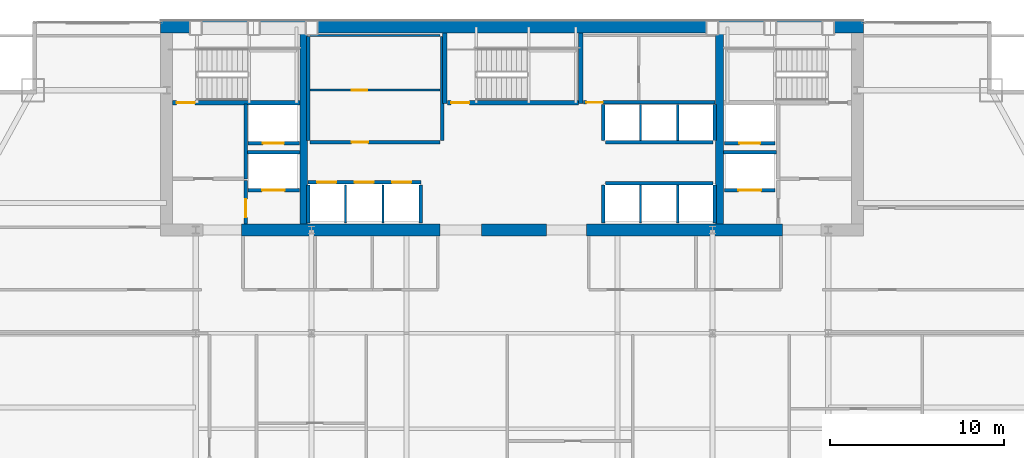
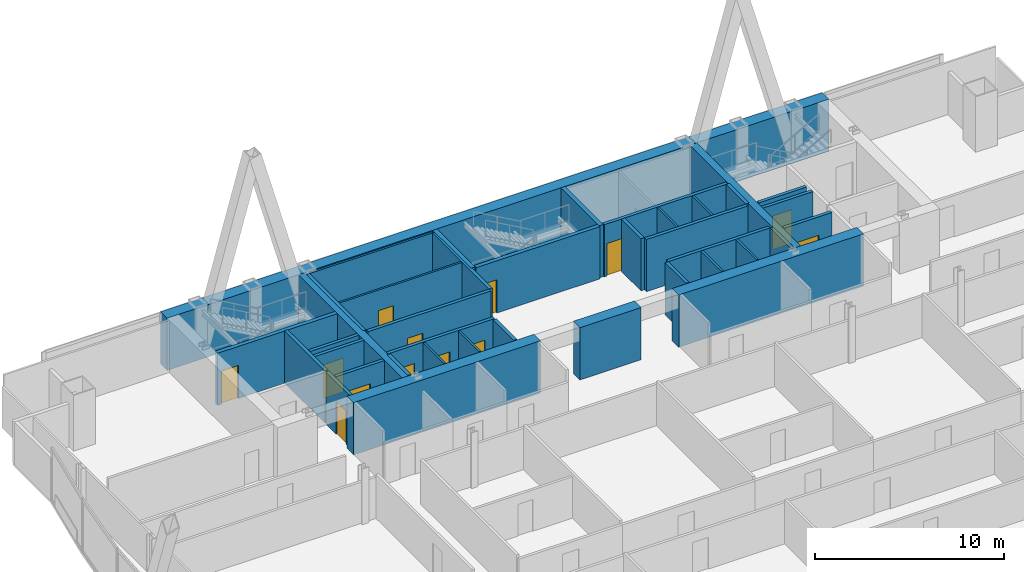
# One storey, part 28 of 31: 39 walls, 13 doors, 13 openings.
"""IFC4 building model written with IfcOpenShell, lengths in metres."""

from ifc_helpers import new_model, si_unit, direction, frame, frame_2d, origin, place, context, subcontext, project, spatial, rectangle, extrude, material, layer, layer_set, type_object, element, fill, save


model = new_model("IFC4")

# Units and contexts
model_context = context("Model", 3, precision=1e-05, world=origin(), true_north=direction((0.0, 1.0)))
body_context = subcontext(model_context, "Body", "Model", "MODEL_VIEW")
ifc_project = project(units=[si_unit("LENGTHUNIT", "METRE"), si_unit("AREAUNIT", "SQUARE_METRE"), si_unit("VOLUMEUNIT", "CUBIC_METRE"), si_unit("PLANEANGLEUNIT", "RADIAN"), si_unit("MASSUNIT", "GRAM", prefix="KILO")], contexts=[model_context])

# Site, building, storey
site_placement = place(None, origin())
site = spatial("IfcSite", under=ifc_project, at=site_placement, CompositionType="ELEMENT")
building_placement = place(site_placement, origin())
building = spatial("IfcBuilding", under=site, at=building_placement, Name="Khoronbel Lancet Exchange", CompositionType="ELEMENT")
storey_placement = place(building_placement, frame((0.0, 0.0, 168.60009765625)))
storey = spatial("IfcBuildingStorey", under=building, at=storey_placement, Name="L42", CompositionType="ELEMENT", Elevation=168.60009765625)

# Walls
ifc_material_1 = material(Name="Concrete C80/95", Category="concrete")
ifc_layer_1 = layer(ifc_material_1, 0.699951171875, Name="Concrete C80/95")
ifc_layer_set_1 = layer_set([ifc_layer_1], Name="Concrete C80/95")
wall_type_1 = type_object("IfcWallType", Name="WL-CW2", PredefinedType="SHEAR", material=ifc_layer_set_1)
wall_1_placement = place(storey_placement, frame((16.199951171875, 53.35009765625, 0.0), z_axis=(0.0, 0.0, 1.0), x_axis=(1.0, 0.0, 0.0)))
element("IfcWall", 1, at=wall_1_placement, inside=storey, type_object=wall_type_1, Name="Level L42 rear core north shear wall", PredefinedType="SHEAR", context=body_context, shape_type="SweptSolid", body=[
    extrude(rectangle(XDim=40.5, YDim=0.699951171875, at=frame_2d((20.25, 0.0))), origin(), (0.0, 0.0, 1.0), 3.3798828125),
])
wall_2_placement = place(storey_placement, frame((32.300048828125, 41.64990234375, 0.0), z_axis=(0.0, 0.0, 1.0), x_axis=(-1.0, 0.0, 0.0)))
element("IfcWall", 2, at=wall_2_placement, inside=storey, type_object=wall_type_1, Name="Level L42 rear core south shear wall pier P2", PredefinedType="SHEAR", context=body_context, shape_type="SweptSolid", body=[
    extrude(rectangle(XDim=11.449951171875, YDim=0.699951171875, at=frame_2d((5.72509765625, 0.0))), origin(), (0.0, 0.0, 1.0), 3.3798828125),
])
wall_3_placement = place(storey_placement, frame((38.449951171875, 41.64990234375, 0.0), z_axis=(0.0, 0.0, 1.0), x_axis=(-1.0, 0.0, 0.0)))
element("IfcWall", 3, at=wall_3_placement, inside=storey, type_object=wall_type_1, Name="Level L42 rear core south shear wall pier P3", PredefinedType="SHEAR", context=body_context, shape_type="SweptSolid", body=[
    extrude(rectangle(XDim=3.75, YDim=0.699951171875, at=frame_2d((1.875, 0.0))), origin(), (0.0, 0.0, 1.0), 3.3798828125),
])
wall_4_placement = place(storey_placement, frame((52.050048828125, 41.64990234375, 0.0), z_axis=(0.0, 0.0, 1.0), x_axis=(-1.0, 0.0, 0.0)))
element("IfcWall", 4, at=wall_4_placement, inside=storey, type_object=wall_type_1, Name="Level L42 rear core south shear wall pier P4", PredefinedType="SHEAR", context=body_context, shape_type="SweptSolid", body=[
    extrude(rectangle(XDim=11.300048828125, YDim=0.699951171875, at=frame_2d((5.64990234375, 0.0))), origin(), (0.0, 0.0, 1.0), 3.3798828125),
])
ifc_material_2 = material(Name="Fire-Rated Metal-Stud & Mineral-Wool Gypsum Partition 120 mm", Category="gypsum")
ifc_layer_2 = layer(ifc_material_2, 0.1201171875, Name="Fire-Rated Metal-Stud & Mineral-Wool Gypsum Partition 120 mm")
ifc_layer_set_2 = layer_set([ifc_layer_2], Name="Fire-Rated Metal-Stud & Mineral-Wool Gypsum Partition 120 mm")
wall_type_2 = type_object("IfcWallType", Name="WL-PRT120F", PredefinedType="PARTITIONING", material=ifc_layer_set_2)
wall_5_placement = place(storey_placement, frame((24.804931640625, 52.860107421875, 0.0), z_axis=(0.0, 0.0, 1.0), x_axis=(1.0, 0.0, 0.0)))
element("IfcWall", 5, at=wall_5_placement, inside=storey, type_object=wall_type_2, Name="Level L42 interior partition CW-PL-RN", PredefinedType="PARTITIONING", context=body_context, shape_type="SweptSolid", body=[
    extrude(rectangle(XDim=7.510009765625, YDim=0.1201171875, at=frame_2d((3.7548828125, 0.0))), origin(), (0.0, 0.0, 1.0), 3.3798828125),
])

# Wall, opening, door
wall_6_placement = place(storey_placement, frame((24.804931640625, 49.708740234375, 0.0), z_axis=(0.0, 0.0, 1.0), x_axis=(1.0, 0.0, 0.0)))
wall_6 = element("IfcWall", 6, at=wall_6_placement, inside=storey, type_object=wall_type_2, Name="Level L42 interior partition CW-PL-RH", PredefinedType="PARTITIONING", context=body_context, shape_type="SweptSolid", body=[
    extrude(rectangle(XDim=7.510009765625, YDim=0.1201171875, at=frame_2d((3.7548828125, 0.0))), origin(), (0.0, 0.0, 1.0), 3.3798828125),
])
opening_1_placement = place(wall_6_placement, frame((2.39990234375, 0.0, 0.0)))
opening_1 = element("IfcOpeningElement", 7, at=opening_1_placement, cuts=wall_6, Name="Opening FD4", PredefinedType="OPENING", context=body_context, shape_type="SweptSolid", body=[
    extrude(rectangle(XDim=0.89990234375, YDim=2.050048828125, at=frame_2d((0.449951171875, 1.02490234375))), frame((0.0, 0.070068359375, 0.0), z_axis=(0.0, -1.0, 0.0), x_axis=(1.0, 0.0, 0.0)), (0.0, 0.0, 1.0), 0.14013671875),
])
ifc_material_3 = material(Name="Fire-Rated Steel Core Support Door Assembly", Category="steel")
door_type_1 = type_object("IfcDoorType", Name="DR-FD4", OperationType="NOTDEFINED", PredefinedType="DOOR", material=ifc_material_3)
door_1_placement = place(opening_1_placement, origin())
door_1 = element("IfcDoor", 8, at=door_1_placement, inside=storey, type_object=door_type_1, Name="Core PL inner store door L42-1", OperationType="SINGLE_SWING_RIGHT", OverallHeight=2.050048828125, OverallWidth=0.89990234375, PredefinedType="DOOR", context=body_context, shape_type="SweptSolid", body=[
    extrude(rectangle(XDim=0.89990234375, YDim=2.050048828125, at=frame_2d((0.449951171875, 1.02490234375))), frame((0.0, 0.02490234375, 0.0), z_axis=(0.0, -1.0, 0.0), x_axis=(1.0, 0.0, 0.0)), (0.0, 0.0, 1.0), 0.050048828125),
])
fill(opening_1, door_1)

# Walls
for number, where, z_axis, x_axis, name in (
    (9, (26.860107421875, 42.050048828125, 0.0), (0.0, 0.0, 1.0), (0.0, 1.0, 0.0), "Level L42 interior partition CW-PM-D1"),
    (10, (29.02001953125, 42.050048828125, 0.0), (0.0, 0.0, 1.0), (0.0, 1.0, 0.0), "Level L42 interior partition CW-PM-D2"),
):
    element("IfcWall", number, at=place(storey_placement, frame(where, z_axis=z_axis, x_axis=x_axis)), inside=storey, type_object=wall_type_2, Name=name, PredefinedType="PARTITIONING", context=body_context, shape_type="SweptSolid", body=[
        extrude(rectangle(XDim=2.199951171875, YDim=0.1201171875, at=frame_2d((1.10009765625, 0.0))), origin(), (0.0, 0.0, 1.0), 3.3798828125),
    ])
for number, where, z_axis, x_axis, name in (
    (11, (43.860107421875, 46.804931640625, 0.0), (0.0, 0.0, 1.0), (0.0, 1.0, 0.0), "Level L42 interior partition CW-PH-D1"),
    (12, (46.0, 46.804931640625, 0.0), (0.0, 0.0, 1.0), (0.0, 1.0, 0.0), "Level L42 interior partition CW-PH-D2"),
):
    element("IfcWall", number, at=place(storey_placement, frame(where, z_axis=z_axis, x_axis=x_axis)), inside=storey, type_object=wall_type_2, Name=name, PredefinedType="PARTITIONING", context=body_context, shape_type="SweptSolid", body=[
        extrude(rectangle(XDim=2.090087890625, YDim=0.1201171875, at=frame_2d((1.044921875, 0.0))), origin(), (0.0, 0.0, 1.0), 3.3798828125),
    ])
for number, where, z_axis, x_axis, name in (
    (13, (43.860107421875, 42.050048828125, 0.0), (0.0, 0.0, 1.0), (0.0, 1.0, 0.0), "Level L42 interior partition CW-PX-D1"),
    (14, (46.0, 42.050048828125, 0.0), (0.0, 0.0, 1.0), (0.0, 1.0, 0.0), "Level L42 interior partition CW-PX-D2"),
):
    element("IfcWall", number, at=place(storey_placement, frame(where, z_axis=z_axis, x_axis=x_axis)), inside=storey, type_object=wall_type_2, Name=name, PredefinedType="PARTITIONING", context=body_context, shape_type="SweptSolid", body=[
        extrude(rectangle(XDim=2.195068359375, YDim=0.1201171875, at=frame_2d((1.09765625, 0.0))), origin(), (0.0, 0.0, 1.0), 3.3798828125),
    ])

# Wall, openings, doors
ifc_material_4 = material(Name="Autoclaved Aerated Concrete Blockwork 200 mm", Category="masonry")
ifc_layer_3 = layer(ifc_material_4, 0.199951171875, Name="Autoclaved Aerated Concrete Blockwork 200 mm")
ifc_layer_set_3 = layer_set([ifc_layer_3], Name="Autoclaved Aerated Concrete Blockwork 200 mm")
wall_type_3 = type_object("IfcWallType", Name="WL-PRT200", PredefinedType="PARTITIONING", material=ifc_layer_set_3)
wall_7_placement = place(storey_placement, frame((24.68994140625, 44.39990234375, 0.0), z_axis=(0.0, 0.0, 1.0), x_axis=(1.0, 0.0, 0.0)))
wall_7 = element("IfcWall", 15, at=wall_7_placement, inside=storey, type_object=wall_type_3, Name="Level L42 elevator hoistway landing front wall PMW", PredefinedType="PARTITIONING", context=body_context, shape_type="SweptSolid", body=[
    extrude(rectangle(XDim=6.530029296875, YDim=0.199951171875, at=frame_2d((3.26513671875, 0.0))), origin(), (0.0, 0.0, 1.0), 3.3798828125),
])
opening_2_placement = place(wall_7_placement, frame((0.530029296875, 0.0, 0.0)))
opening_2 = element("IfcOpeningElement", 16, at=opening_2_placement, cuts=wall_7, Name="Opening LD-PM1", PredefinedType="OPENING", context=body_context, shape_type="SweptSolid", body=[
    extrude(rectangle(XDim=1.10009765625, YDim=2.179931640625, at=frame_2d((0.550048828125, 1.08984375))), frame((0.0, 0.10986328125, 0.0), z_axis=(0.0, -1.0, 0.0), x_axis=(1.0, 0.0, 0.0)), (0.0, 0.0, 1.0), 0.219970703125),
])
opening_3_placement = place(wall_7_placement, frame((2.68994140625, 0.0, 0.0)))
opening_3 = element("IfcOpeningElement", 17, at=opening_3_placement, cuts=wall_7, Name="Opening LD-PM2", PredefinedType="OPENING", context=body_context, shape_type="SweptSolid", body=[
    extrude(rectangle(XDim=1.10009765625, YDim=2.179931640625, at=frame_2d((0.550048828125, 1.08984375))), frame((0.0, 0.10986328125, 0.0), z_axis=(0.0, -1.0, 0.0), x_axis=(1.0, 0.0, 0.0)), (0.0, 0.0, 1.0), 0.219970703125),
])
opening_4_placement = place(wall_7_placement, frame((4.85009765625, 0.0, 0.0)))
opening_4 = element("IfcOpeningElement", 18, at=opening_4_placement, cuts=wall_7, Name="Opening LD-PM3", PredefinedType="OPENING", context=body_context, shape_type="SweptSolid", body=[
    extrude(rectangle(XDim=1.10009765625, YDim=2.179931640625, at=frame_2d((0.550048828125, 1.08984375))), frame((0.0, 0.10986328125, 0.0), z_axis=(0.0, -1.0, 0.0), x_axis=(1.0, 0.0, 0.0)), (0.0, 0.0, 1.0), 0.219970703125),
])
ifc_material_5 = material(Name="Brushed Bronze Bi-Parting Elevator Landing Door", Category="steel")
door_type_2 = type_object("IfcDoorType", Name="DR-LD-PAX", OperationType="NOTDEFINED", PredefinedType="DOOR", material=ifc_material_5)
door_2_placement = place(opening_2_placement, origin())
door_2 = element("IfcDoor", 19, at=door_2_placement, inside=storey, type_object=door_type_2, Name="Elevator landing sliding door LD-PM1 L42", OperationType="SLIDING_TO_LEFT", OverallHeight=2.179931640625, OverallWidth=1.10009765625, PredefinedType="DOOR", context=body_context, shape_type="SweptSolid", body=[
    extrude(rectangle(XDim=1.10009765625, YDim=2.179931640625, at=frame_2d((0.550048828125, 1.08984375))), frame((0.0, 0.02490234375, 0.0), z_axis=(0.0, -1.0, 0.0), x_axis=(1.0, 0.0, 0.0)), (0.0, 0.0, 1.0), 0.050048828125),
])
fill(opening_2, door_2)
door_3_placement = place(opening_3_placement, origin())
door_3 = element("IfcDoor", 20, at=door_3_placement, inside=storey, type_object=door_type_2, Name="Elevator landing sliding door LD-PM2 L42", OperationType="SLIDING_TO_LEFT", OverallHeight=2.179931640625, OverallWidth=1.10009765625, PredefinedType="DOOR", context=body_context, shape_type="SweptSolid", body=[
    extrude(rectangle(XDim=1.10009765625, YDim=2.179931640625, at=frame_2d((0.550048828125, 1.08984375))), frame((0.0, 0.02490234375, 0.0), z_axis=(0.0, -1.0, 0.0), x_axis=(1.0, 0.0, 0.0)), (0.0, 0.0, 1.0), 0.050048828125),
])
fill(opening_3, door_3)
door_4_placement = place(opening_4_placement, origin())
door_4 = element("IfcDoor", 21, at=door_4_placement, inside=storey, type_object=door_type_2, Name="Elevator landing sliding door LD-PM3 L42", OperationType="SLIDING_TO_LEFT", OverallHeight=2.179931640625, OverallWidth=1.10009765625, PredefinedType="DOOR", context=body_context, shape_type="SweptSolid", body=[
    extrude(rectangle(XDim=1.10009765625, YDim=2.179931640625, at=frame_2d((0.550048828125, 1.08984375))), frame((0.0, 0.02490234375, 0.0), z_axis=(0.0, -1.0, 0.0), x_axis=(1.0, 0.0, 0.0)), (0.0, 0.0, 1.0), 0.050048828125),
])
fill(opening_4, door_4)

# Wall, opening, door
wall_8_placement = place(storey_placement, frame((51.610107421875, 43.949951171875, 0.0), z_axis=(0.0, 0.0, 1.0), x_axis=(-1.0, 0.0, 0.0)))
wall_8 = element("IfcWall", 22, at=wall_8_placement, inside=storey, type_object=wall_type_3, Name="Level L42 elevator hoistway landing front wall SVLE", PredefinedType="PARTITIONING", context=body_context, shape_type="SweptSolid", body=[
    extrude(rectangle(XDim=2.920166015625, YDim=0.199951171875, at=frame_2d((1.4599609375, 0.0))), origin(), (0.0, 0.0, 1.0), 3.3798828125),
])
opening_5_placement = place(wall_8_placement, frame((0.81005859375, 0.0, 0.0)))
opening_5 = element("IfcOpeningElement", 23, at=opening_5_placement, cuts=wall_8, Name="Opening LD-SVL2", PredefinedType="OPENING", context=body_context, shape_type="SweptSolid", body=[
    extrude(rectangle(XDim=1.300048828125, YDim=2.179931640625, at=frame_2d((0.64990234375, 1.08984375))), frame((0.0, 0.10986328125, 0.0), z_axis=(0.0, -1.0, 0.0), x_axis=(1.0, 0.0, 0.0)), (0.0, 0.0, 1.0), 0.219970703125),
])
ifc_material_6 = material(Name="Heavy-Duty Bi-Parting Goods Lift Landing Door", Category="steel")
door_type_3 = type_object("IfcDoorType", Name="DR-LD-SVL", OperationType="NOTDEFINED", PredefinedType="DOOR", material=ifc_material_6)
door_5_placement = place(opening_5_placement, origin())
door_5 = element("IfcDoor", 24, at=door_5_placement, inside=storey, type_object=door_type_3, Name="Elevator landing sliding door LD-SVL2 L42", OperationType="SLIDING_TO_LEFT", OverallHeight=2.179931640625, OverallWidth=1.300048828125, PredefinedType="DOOR", context=body_context, shape_type="SweptSolid", body=[
    extrude(rectangle(XDim=1.300048828125, YDim=2.179931640625, at=frame_2d((0.64990234375, 1.08984375))), frame((0.0, 0.02490234375, 0.0), z_axis=(0.0, -1.0, 0.0), x_axis=(1.0, 0.0, 0.0)), (0.0, 0.0, 1.0), 0.050048828125),
])
fill(opening_5, door_5)

wall_9_placement = place(storey_placement, frame((24.2099609375, 43.949951171875, 0.0), z_axis=(0.0, 0.0, 1.0), x_axis=(-1.0, 0.0, 0.0)))
wall_9 = element("IfcWall", 25, at=wall_9_placement, inside=storey, type_object=wall_type_3, Name="Level L42 elevator hoistway landing front wall SVLW", PredefinedType="PARTITIONING", context=body_context, shape_type="SweptSolid", body=[
    extrude(rectangle(XDim=2.969970703125, YDim=0.199951171875, at=frame_2d((1.48486328125, 0.0))), origin(), (0.0, 0.0, 1.0), 3.3798828125),
])
opening_6_placement = place(wall_9_placement, frame((0.860107421875, 0.0, 0.0)))
opening_6 = element("IfcOpeningElement", 26, at=opening_6_placement, cuts=wall_9, Name="Opening LD-SVL1", PredefinedType="OPENING", context=body_context, shape_type="SweptSolid", body=[
    extrude(rectangle(XDim=1.300048828125, YDim=2.179931640625, at=frame_2d((0.64990234375, 1.08984375))), frame((0.0, 0.10986328125, 0.0), z_axis=(0.0, -1.0, 0.0), x_axis=(1.0, 0.0, 0.0)), (0.0, 0.0, 1.0), 0.219970703125),
])
door_6_placement = place(opening_6_placement, origin())
door_6 = element("IfcDoor", 27, at=door_6_placement, inside=storey, type_object=door_type_3, Name="Elevator landing sliding door LD-SVL1 L42", OperationType="SLIDING_TO_LEFT", OverallHeight=2.179931640625, OverallWidth=1.300048828125, PredefinedType="DOOR", context=body_context, shape_type="SweptSolid", body=[
    extrude(rectangle(XDim=1.300048828125, YDim=2.179931640625, at=frame_2d((0.64990234375, 1.08984375))), frame((0.0, 0.02490234375, 0.0), z_axis=(0.0, -1.0, 0.0), x_axis=(1.0, 0.0, 0.0)), (0.0, 0.0, 1.0), 0.050048828125),
])
fill(opening_6, door_6)

wall_10_placement = place(storey_placement, frame((51.610107421875, 46.64990234375, 0.0), z_axis=(0.0, 0.0, 1.0), x_axis=(-1.0, 0.0, 0.0)))
wall_10 = element("IfcWall", 28, at=wall_10_placement, inside=storey, type_object=wall_type_3, Name="Level L42 elevator hoistway landing front wall FFLE", PredefinedType="PARTITIONING", context=body_context, shape_type="SweptSolid", body=[
    extrude(rectangle(XDim=2.920166015625, YDim=0.199951171875, at=frame_2d((1.4599609375, 0.0))), origin(), (0.0, 0.0, 1.0), 3.3798828125),
])
opening_7_placement = place(wall_10_placement, frame((0.860107421875, 0.0, 0.0)))
opening_7 = element("IfcOpeningElement", 29, at=opening_7_placement, cuts=wall_10, Name="Opening LD-FFL2", PredefinedType="OPENING", context=body_context, shape_type="SweptSolid", body=[
    extrude(rectangle(XDim=1.199951171875, YDim=2.179931640625, at=frame_2d((0.60009765625, 1.08984375))), frame((0.0, 0.10986328125, 0.0), z_axis=(0.0, -1.0, 0.0), x_axis=(1.0, 0.0, 0.0)), (0.0, 0.0, 1.0), 0.219970703125),
])
ifc_material_7 = material(Name="Fire-Rated Stainless Bi-Parting Firefighting Lift Door", Category="steel")
door_type_4 = type_object("IfcDoorType", Name="DR-LD-FFL", OperationType="NOTDEFINED", PredefinedType="DOOR", material=ifc_material_7)
door_7_placement = place(opening_7_placement, origin())
door_7 = element("IfcDoor", 30, at=door_7_placement, inside=storey, type_object=door_type_4, Name="Elevator landing sliding door LD-FFL2 L42", OperationType="SLIDING_TO_LEFT", OverallHeight=2.179931640625, OverallWidth=1.199951171875, PredefinedType="DOOR", context=body_context, shape_type="SweptSolid", body=[
    extrude(rectangle(XDim=1.199951171875, YDim=2.179931640625, at=frame_2d((0.60009765625, 1.08984375))), frame((0.0, 0.02490234375, 0.0), z_axis=(0.0, -1.0, 0.0), x_axis=(1.0, 0.0, 0.0)), (0.0, 0.0, 1.0), 0.050048828125),
])
fill(opening_7, door_7)

wall_11_placement = place(storey_placement, frame((24.2099609375, 46.64990234375, 0.0), z_axis=(0.0, 0.0, 1.0), x_axis=(-1.0, 0.0, 0.0)))
wall_11 = element("IfcWall", 31, at=wall_11_placement, inside=storey, type_object=wall_type_3, Name="Level L42 elevator hoistway landing front wall FFLW", PredefinedType="PARTITIONING", context=body_context, shape_type="SweptSolid", body=[
    extrude(rectangle(XDim=2.969970703125, YDim=0.199951171875, at=frame_2d((1.48486328125, 0.0))), origin(), (0.0, 0.0, 1.0), 3.3798828125),
])
opening_8_placement = place(wall_11_placement, frame((0.909912109375, 0.0, 0.0)))
opening_8 = element("IfcOpeningElement", 32, at=opening_8_placement, cuts=wall_11, Name="Opening LD-FFL1", PredefinedType="OPENING", context=body_context, shape_type="SweptSolid", body=[
    extrude(rectangle(XDim=1.199951171875, YDim=2.179931640625, at=frame_2d((0.60009765625, 1.08984375))), frame((0.0, 0.10986328125, 0.0), z_axis=(0.0, -1.0, 0.0), x_axis=(1.0, 0.0, 0.0)), (0.0, 0.0, 1.0), 0.219970703125),
])
door_8_placement = place(opening_8_placement, origin())
door_8 = element("IfcDoor", 33, at=door_8_placement, inside=storey, type_object=door_type_4, Name="Elevator landing sliding door LD-FFL1 L42", OperationType="SLIDING_TO_LEFT", OverallHeight=2.179931640625, OverallWidth=1.199951171875, PredefinedType="DOOR", context=body_context, shape_type="SweptSolid", body=[
    extrude(rectangle(XDim=1.199951171875, YDim=2.179931640625, at=frame_2d((0.60009765625, 1.08984375))), frame((0.0, 0.02490234375, 0.0), z_axis=(0.0, -1.0, 0.0), x_axis=(1.0, 0.0, 0.0)), (0.0, 0.0, 1.0), 0.050048828125),
])
fill(opening_8, door_8)

# Walls
wall_12_placement = place(storey_placement, frame((21.10009765625, 44.60009765625, 0.0), z_axis=(0.0, 0.0, 1.0), x_axis=(0.0, 1.0, 0.0)))
element("IfcWall", 34, at=wall_12_placement, inside=storey, type_object=wall_type_3, Name="Level L42 interior partition CW-FFLW-E", PredefinedType="PARTITIONING", context=body_context, shape_type="SweptSolid", body=[
    extrude(rectangle(XDim=4.2998046875, YDim=0.199951171875, at=frame_2d((2.14990234375, 0.0))), origin(), (0.0, 0.0, 1.0), 3.3798828125),
])
wall_13_placement = place(storey_placement, frame((21.199951171875, 46.1201171875, 0.0), z_axis=(0.0, 0.0, 1.0), x_axis=(1.0, 0.0, 0.0)))
element("IfcWall", 35, at=wall_13_placement, inside=storey, type_object=wall_type_3, Name="Level L42 interior partition CW-FFL1-S", PredefinedType="PARTITIONING", context=body_context, shape_type="SweptSolid", body=[
    extrude(rectangle(XDim=3.02001953125, YDim=0.199951171875, at=frame_2d((1.510009765625, 0.0))), origin(), (0.0, 0.0, 1.0), 3.3798828125),
])

# Wall, opening, door
wall_14_placement = place(storey_placement, frame((21.10009765625, 42.0, 0.0), z_axis=(0.0, 0.0, 1.0), x_axis=(0.0, 1.0, 0.0)))
wall_14 = element("IfcWall", 36, at=wall_14_placement, inside=storey, type_object=wall_type_3, Name="Level L42 interior partition CW-SVLW-W", PredefinedType="PARTITIONING", context=body_context, shape_type="SweptSolid", body=[
    extrude(rectangle(XDim=2.4951171875, YDim=0.199951171875, at=frame_2d((1.24755859375, 0.0))), origin(), (0.0, 0.0, 1.0), 3.3798828125),
])
opening_9_placement = place(wall_14_placement, frame((0.3798828125, 0.0, 0.0)))
opening_9 = element("IfcOpeningElement", 37, at=opening_9_placement, cuts=wall_14, Name="Opening FD1", PredefinedType="OPENING", context=body_context, shape_type="SweptSolid", body=[
    extrude(rectangle(XDim=1.050048828125, YDim=2.14990234375, at=frame_2d((0.52490234375, 1.074951171875))), frame((0.0, 0.10986328125, 0.0), z_axis=(0.0, -1.0, 0.0), x_axis=(1.0, 0.0, 0.0)), (0.0, 0.0, 1.0), 0.219970703125),
])
ifc_material_8 = material(Name="Fire-Rated Painted Steel Door Assembly", Category="steel")
door_type_5 = type_object("IfcDoorType", Name="DR-FD1", OperationType="NOTDEFINED", PredefinedType="DOOR", material=ifc_material_8)
door_9_placement = place(opening_9_placement, origin())
door_9 = element("IfcDoor", 38, at=door_9_placement, inside=storey, type_object=door_type_5, Name="West service lift lobby door L42-1", OperationType="SINGLE_SWING_LEFT", OverallHeight=2.14990234375, OverallWidth=1.050048828125, PredefinedType="DOOR", context=body_context, shape_type="SweptSolid", body=[
    extrude(rectangle(XDim=1.050048828125, YDim=2.14990234375, at=frame_2d((0.52490234375, 1.074951171875))), frame((0.0, 0.02490234375, 0.0), z_axis=(0.0, -1.0, 0.0), x_axis=(1.0, 0.0, 0.0)), (0.0, 0.0, 1.0), 0.050048828125),
])
fill(opening_9, door_9)

# Walls
wall_15_placement = place(storey_placement, frame((48.6298828125, 46.1201171875, 0.0), z_axis=(0.0, 0.0, 1.0), x_axis=(1.0, 0.0, 0.0)))
element("IfcWall", 39, at=wall_15_placement, inside=storey, type_object=wall_type_3, Name="Level L42 interior partition CW-FFL2-S", PredefinedType="PARTITIONING", context=body_context, shape_type="SweptSolid", body=[
    extrude(rectangle(XDim=3.070068359375, YDim=0.199951171875, at=frame_2d((1.53515625, 0.0))), origin(), (0.0, 0.0, 1.0), 3.3798828125),
])
for number, where, z_axis, x_axis, name in (
    (40, (24.699951171875, 46.804931640625, 0.0), (0.0, 0.0, 1.0), (0.0, 1.0, 0.0), "Level L42 interior partition CW-PL-RW"),
    (41, (32.419921875, 46.804931640625, 0.0), (0.0, 0.0, 1.0), (0.0, 1.0, 0.0), "Level L42 interior partition CW-PL-RE"),
):
    element("IfcWall", number, at=place(storey_placement, frame(where, z_axis=z_axis, x_axis=x_axis)), inside=storey, type_object=wall_type_3, Name=name, PredefinedType="PARTITIONING", context=body_context, shape_type="SweptSolid", body=[
        extrude(rectangle(XDim=5.989990234375, YDim=0.199951171875, at=frame_2d((2.9951171875, 0.0))), origin(), (0.0, 0.0, 1.0), 3.3798828125),
    ])

# Wall, opening, door
wall_16_placement = place(storey_placement, frame((24.804931640625, 46.699951171875, 0.0), z_axis=(0.0, 0.0, 1.0), x_axis=(1.0, 0.0, 0.0)))
wall_16 = element("IfcWall", 42, at=wall_16_placement, inside=storey, type_object=wall_type_3, Name="Level L42 interior partition CW-PL-RF", PredefinedType="PARTITIONING", context=body_context, shape_type="SweptSolid", body=[
    extrude(rectangle(XDim=7.510009765625, YDim=0.199951171875, at=frame_2d((3.7548828125, 0.0))), origin(), (0.0, 0.0, 1.0), 3.3798828125),
])
opening_10_placement = place(wall_16_placement, frame((2.39990234375, 0.0, 0.0)))
opening_10 = element("IfcOpeningElement", 43, at=opening_10_placement, cuts=wall_16, Name="Opening FD3", PredefinedType="OPENING", context=body_context, shape_type="SweptSolid", body=[
    extrude(rectangle(XDim=0.949951171875, YDim=2.10009765625, at=frame_2d((0.47509765625, 1.050048828125))), frame((0.0, 0.10986328125, 0.0), z_axis=(0.0, -1.0, 0.0), x_axis=(1.0, 0.0, 0.0)), (0.0, 0.0, 1.0), 0.219970703125),
])
ifc_material_9 = material(Name="Fire-Rated Steel Plant & Riser Door Assembly", Category="steel")
door_type_6 = type_object("IfcDoorType", Name="DR-FD3", OperationType="NOTDEFINED", PredefinedType="DOOR", material=ifc_material_9)
door_10_placement = place(opening_10_placement, origin())
door_10 = element("IfcDoor", 44, at=door_10_placement, inside=storey, type_object=door_type_6, Name="Core PL merged gallery room door L42-1", OperationType="SINGLE_SWING_LEFT", OverallHeight=2.10009765625, OverallWidth=0.949951171875, PredefinedType="DOOR", context=body_context, shape_type="SweptSolid", body=[
    extrude(rectangle(XDim=0.949951171875, YDim=2.10009765625, at=frame_2d((0.47509765625, 1.050048828125))), frame((0.0, 0.02490234375, 0.0), z_axis=(0.0, -1.0, 0.0), x_axis=(1.0, 0.0, 0.0)), (0.0, 0.0, 1.0), 0.050048828125),
])
fill(opening_10, door_10)

# Walls
for number, where, z_axis, x_axis, name in (
    (45, (24.699951171875, 42.050048828125, 0.0), (0.0, 0.0, 1.0), (0.0, 1.0, 0.0), "Level L42 interior partition CW-PM-W"),
    (46, (31.179931640625, 42.050048828125, 0.0), (0.0, 0.0, 1.0), (0.0, 1.0, 0.0), "Level L42 interior partition CW-PM-E"),
):
    element("IfcWall", number, at=place(storey_placement, frame(where, z_axis=z_axis, x_axis=x_axis)), inside=storey, type_object=wall_type_3, Name=name, PredefinedType="PARTITIONING", context=body_context, shape_type="SweptSolid", body=[
        extrude(rectangle(XDim=2.199951171875, YDim=0.199951171875, at=frame_2d((1.10009765625, 0.0))), origin(), (0.0, 0.0, 1.0), 3.3798828125),
    ])
wall_17_placement = place(storey_placement, frame((41.824951171875, 46.699951171875, 0.0), z_axis=(0.0, 0.0, 1.0), x_axis=(1.0, 0.0, 0.0)))
element("IfcWall", 47, at=wall_17_placement, inside=storey, type_object=wall_type_3, Name="Level L42 interior partition CW-PH-EXP", PredefinedType="PARTITIONING", context=body_context, shape_type="SweptSolid", body=[
    extrude(rectangle(XDim=6.2099609375, YDim=0.199951171875, at=frame_2d((3.10498046875, 0.0))), origin(), (0.0, 0.0, 1.0), 3.3798828125),
])
for number, where, z_axis, x_axis, name in (
    (48, (41.719970703125, 46.804931640625, 0.0), (0.0, 0.0, 1.0), (0.0, 1.0, 0.0), "Level L42 interior partition CW-PH-W"),
    (49, (48.139892578125, 46.804931640625, 0.0), (0.0, 0.0, 1.0), (0.0, 1.0, 0.0), "Level L42 interior partition CW-PH-E"),
):
    element("IfcWall", number, at=place(storey_placement, frame(where, z_axis=z_axis, x_axis=x_axis)), inside=storey, type_object=wall_type_3, Name=name, PredefinedType="PARTITIONING", context=body_context, shape_type="SweptSolid", body=[
        extrude(rectangle(XDim=2.090087890625, YDim=0.199951171875, at=frame_2d((1.044921875, 0.0))), origin(), (0.0, 0.0, 1.0), 3.3798828125),
    ])
wall_18_placement = place(storey_placement, frame((41.824951171875, 44.35009765625, 0.0), z_axis=(0.0, 0.0, 1.0), x_axis=(1.0, 0.0, 0.0)))
element("IfcWall", 50, at=wall_18_placement, inside=storey, type_object=wall_type_3, Name="Level L42 interior partition CW-PX-EXP", PredefinedType="PARTITIONING", context=body_context, shape_type="SweptSolid", body=[
    extrude(rectangle(XDim=6.2099609375, YDim=0.199951171875, at=frame_2d((3.10498046875, 0.0))), origin(), (0.0, 0.0, 1.0), 3.3798828125),
])
for number, where, z_axis, x_axis, name in (
    (51, (41.719970703125, 42.050048828125, 0.0), (0.0, 0.0, 1.0), (0.0, 1.0, 0.0), "Level L42 interior partition CW-PX-W"),
    (52, (48.139892578125, 42.050048828125, 0.0), (0.0, 0.0, 1.0), (0.0, 1.0, 0.0), "Level L42 interior partition CW-PX-E"),
):
    element("IfcWall", number, at=place(storey_placement, frame(where, z_axis=z_axis, x_axis=x_axis)), inside=storey, type_object=wall_type_3, Name=name, PredefinedType="PARTITIONING", context=body_context, shape_type="SweptSolid", body=[
        extrude(rectangle(XDim=2.195068359375, YDim=0.199951171875, at=frame_2d((1.09765625, 0.0))), origin(), (0.0, 0.0, 1.0), 3.3798828125),
    ])

# Wall, opening, door
wall_19_placement = place(storey_placement, frame((40.580078125, 49.0, 0.0), z_axis=(0.0, 0.0, 1.0), x_axis=(1.0, 0.0, 0.0)))
wall_19 = element("IfcWall", 53, at=wall_19_placement, inside=storey, type_object=wall_type_3, Name="Level L42 interior partition CW-SUP-NE-S", PredefinedType="PARTITIONING", context=body_context, shape_type="SweptSolid", body=[
    extrude(rectangle(XDim=7.559814453125, YDim=0.199951171875, at=frame_2d((3.77978515625, 0.0))), origin(), (0.0, 0.0, 1.0), 3.3798828125),
])
opening_11_placement = place(wall_19_placement, frame((0.159912109375, 0.0, 0.0)))
opening_11 = element("IfcOpeningElement", 54, at=opening_11_placement, cuts=wall_19, Name="Opening FD3", PredefinedType="OPENING", context=body_context, shape_type="SweptSolid", body=[
    extrude(rectangle(XDim=0.949951171875, YDim=2.10009765625, at=frame_2d((0.47509765625, 1.050048828125))), frame((0.0, 0.10986328125, 0.0), z_axis=(0.0, -1.0, 0.0), x_axis=(1.0, 0.0, 0.0)), (0.0, 0.0, 1.0), 0.219970703125),
])
door_11_placement = place(opening_11_placement, origin())
door_11 = element("IfcDoor", 55, at=door_11_placement, inside=storey, type_object=door_type_6, Name="Core NE support room door L42-1", OperationType="SINGLE_SWING_RIGHT", OverallHeight=2.10009765625, OverallWidth=0.949951171875, PredefinedType="DOOR", context=body_context, shape_type="SweptSolid", body=[
    extrude(rectangle(XDim=0.949951171875, YDim=2.10009765625, at=frame_2d((0.47509765625, 1.050048828125))), frame((0.0, 0.02490234375, 0.0), z_axis=(0.0, -1.0, 0.0), x_axis=(1.0, 0.0, 0.0)), (0.0, 0.0, 1.0), 0.050048828125),
])
fill(opening_11, door_11)

# Walls
ifc_layer_4 = layer(ifc_material_1, 0.449951171875, Name="Concrete C80/95")
ifc_layer_set_4 = layer_set([ifc_layer_4], Name="Concrete C80/95")
wall_type_4 = type_object("IfcWallType", Name="WL-SW1", PredefinedType="SHEAR", material=ifc_layer_set_4)
for number, where, z_axis, x_axis, name in (
    (56, (24.449951171875, 42.0, 0.0), (0.0, 0.0, 1.0), (0.0, 1.0, 0.0), "Level L42 rear core internal spine shear wall IW"),
    (57, (48.39990234375, 42.0, 0.0), (0.0, 0.0, 1.0), (0.0, 1.0, 0.0), "Level L42 rear core internal spine shear wall IE"),
):
    element("IfcWall", number, at=place(storey_placement, frame(where, z_axis=z_axis, x_axis=x_axis)), inside=storey, type_object=wall_type_4, Name=name, PredefinedType="SHEAR", context=body_context, shape_type="SweptSolid", body=[
        extrude(rectangle(XDim=11.0, YDim=0.449951171875, at=frame_2d((5.5, 0.0))), origin(), (0.0, 0.0, 1.0), 3.3798828125),
    ])
ifc_material_10 = material(Name="Concrete C60/75", Category="concrete")
ifc_layer_5 = layer(ifc_material_10, 0.260009765625, Name="Concrete C60/75")
ifc_layer_set_5 = layer_set([ifc_layer_5], Name="Concrete C60/75")
wall_type_5 = type_object("IfcWallType", Name="WL-SW3", PredefinedType="SHEAR", material=ifc_layer_set_5)
for number, where, z_axis, x_axis, name in (
    (58, (32.580078125, 48.949951171875, 0.0), (0.0, 0.0, 1.0), (0.0, 1.0, 0.0), "Level L42 central stairwell structural shear wall ST3W"),
    (59, (40.419921875, 48.949951171875, 0.0), (0.0, 0.0, 1.0), (0.0, 1.0, 0.0), "Level L42 central stairwell structural shear wall ST3E"),
):
    element("IfcWall", number, at=place(storey_placement, frame(where, z_axis=z_axis, x_axis=x_axis)), inside=storey, type_object=wall_type_5, Name=name, PredefinedType="SHEAR", context=body_context, shape_type="SweptSolid", body=[
        extrude(rectangle(XDim=4.050048828125, YDim=0.260009765625, at=frame_2d((2.02490234375, 0.0))), origin(), (0.0, 0.0, 1.0), 3.3798828125),
    ])

# Wall, opening, door
wall_20_placement = place(storey_placement, frame((16.89990234375, 48.97998046875, 0.0), z_axis=(0.0, 0.0, 1.0), x_axis=(1.0, 0.0, 0.0)))
wall_20 = element("IfcWall", 60, at=wall_20_placement, inside=storey, type_object=wall_type_5, Name="Level L42 west stairwell structural south wall", PredefinedType="SHEAR", context=body_context, shape_type="SweptSolid", body=[
    extrude(rectangle(XDim=7.320068359375, YDim=0.239990234375, at=frame_2d((3.66015625, 0.0))), origin(), (0.0, 0.0, 1.0), 3.3798828125),
])
opening_12_placement = place(wall_20_placement, frame((0.219970703125, 0.0, 0.0)))
opening_12 = element("IfcOpeningElement", 61, at=opening_12_placement, cuts=wall_20, Name="Opening SD1", PredefinedType="OPENING", context=body_context, shape_type="SweptSolid", body=[
    extrude(rectangle(XDim=1.050048828125, YDim=2.14990234375, at=frame_2d((0.52490234375, 1.074951171875))), frame((0.0, 0.1298828125, 0.0), z_axis=(0.0, -1.0, 0.0), x_axis=(1.0, 0.0, 0.0)), (0.0, 0.0, 1.0), 0.260009765625),
])
ifc_material_11 = material(Name="Fire-Rated Steel Stairwell Door Assembly", Category="steel")
door_type_7 = type_object("IfcDoorType", Name="DR-SD1", OperationType="NOTDEFINED", PredefinedType="DOOR", material=ifc_material_11)
door_12_placement = place(opening_12_placement, origin())
door_12 = element("IfcDoor", 62, at=door_12_placement, inside=storey, type_object=door_type_7, Name="Protected exit stair ST1 door L42", OperationType="SINGLE_SWING_LEFT", OverallHeight=2.14990234375, OverallWidth=1.050048828125, PredefinedType="DOOR", context=body_context, shape_type="SweptSolid", body=[
    extrude(rectangle(XDim=1.050048828125, YDim=2.14990234375, at=frame_2d((0.52490234375, 1.074951171875))), frame((0.0, 0.02490234375, 0.0), z_axis=(0.0, -1.0, 0.0), x_axis=(1.0, 0.0, 0.0)), (0.0, 0.0, 1.0), 0.050048828125),
])
fill(opening_12, door_12)

wall_21_placement = place(storey_placement, frame((32.719970703125, 48.97998046875, 0.0), z_axis=(0.0, 0.0, 1.0), x_axis=(1.0, 0.0, 0.0)))
wall_21 = element("IfcWall", 63, at=wall_21_placement, inside=storey, type_object=wall_type_5, Name="Level L42 central stairwell structural south wall", PredefinedType="SHEAR", context=body_context, shape_type="SweptSolid", body=[
    extrude(rectangle(XDim=7.56005859375, YDim=0.239990234375, at=frame_2d((3.780029296875, 0.0))), origin(), (0.0, 0.0, 1.0), 3.3798828125),
])
opening_13_placement = place(wall_21_placement, frame((0.219970703125, 0.0, 0.0)))
opening_13 = element("IfcOpeningElement", 64, at=opening_13_placement, cuts=wall_21, Name="Opening SD1", PredefinedType="OPENING", context=body_context, shape_type="SweptSolid", body=[
    extrude(rectangle(XDim=1.050048828125, YDim=2.14990234375, at=frame_2d((0.52490234375, 1.074951171875))), frame((0.0, 0.1298828125, 0.0), z_axis=(0.0, -1.0, 0.0), x_axis=(1.0, 0.0, 0.0)), (0.0, 0.0, 1.0), 0.260009765625),
])
door_13_placement = place(opening_13_placement, origin())
door_13 = element("IfcDoor", 65, at=door_13_placement, inside=storey, type_object=door_type_7, Name="Protected exit stair ST3 door L42", OperationType="SINGLE_SWING_LEFT", OverallHeight=2.14990234375, OverallWidth=1.050048828125, PredefinedType="DOOR", context=body_context, shape_type="SweptSolid", body=[
    extrude(rectangle(XDim=1.050048828125, YDim=2.14990234375, at=frame_2d((0.52490234375, 1.074951171875))), frame((0.0, 0.02490234375, 0.0), z_axis=(0.0, -1.0, 0.0), x_axis=(1.0, 0.0, 0.0)), (0.0, 0.0, 1.0), 0.050048828125),
])
fill(opening_13, door_13)

save(model, "model.ifc")
